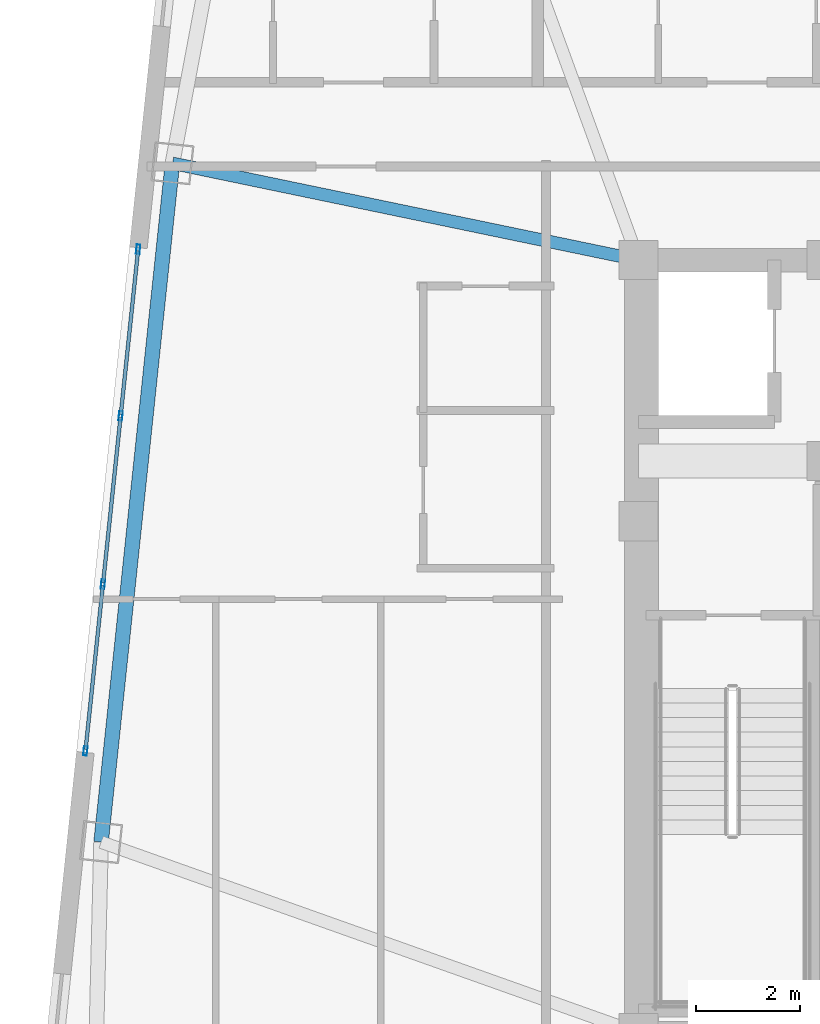
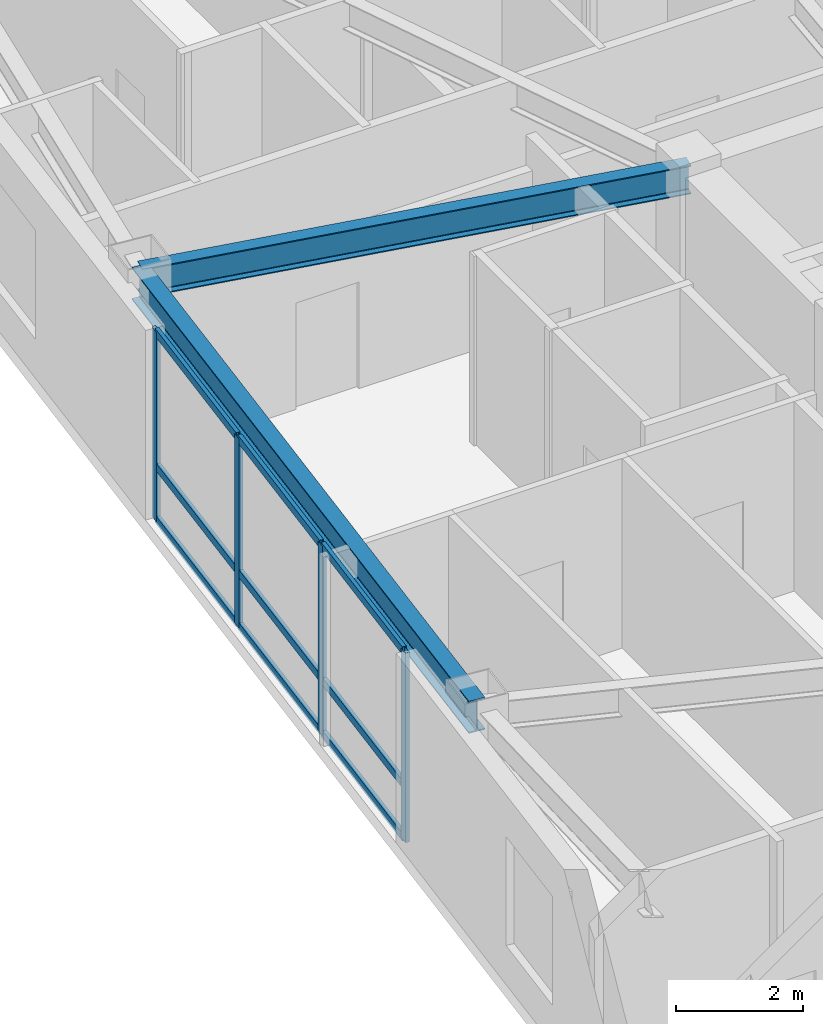
# One storey, part 4 of 23: 13 members, 2 beams, 1 element without a shape of its own.
"""IFC4 building model written with IfcOpenShell, lengths in metres."""

from ifc_helpers import new_model, si_unit, direction, frame, origin, origin_2d, place, context, subcontext, project, spatial, hollow_rectangle, i_section, extrude, material, layer, layer_set, material_profile, profile_set, type_object, element, aggregate, save


model = new_model("IFC4")

# Units and contexts
model_context = context("Model", 3, precision=1e-05, world=origin(), true_north=direction((0.0, 1.0)))
body_context = subcontext(model_context, "Body", "Model", "MODEL_VIEW")
ifc_project = project(units=[si_unit("LENGTHUNIT", "METRE"), si_unit("AREAUNIT", "SQUARE_METRE"), si_unit("VOLUMEUNIT", "CUBIC_METRE"), si_unit("PLANEANGLEUNIT", "RADIAN"), si_unit("MASSUNIT", "GRAM", prefix="KILO")], contexts=[model_context])

# Site, building, storey
site_placement = place(None, origin())
site = spatial("IfcSite", under=ifc_project, at=site_placement, CompositionType="ELEMENT")
building_placement = place(site_placement, origin())
building = spatial("IfcBuilding", under=site, at=building_placement, Name="Voryun Gate Residences", CompositionType="ELEMENT")
storey_placement = place(building_placement, frame((0.0, 0.0, 275.60009765625)))
storey = spatial("IfcBuildingStorey", under=building, at=storey_placement, Name="L68", CompositionType="ELEMENT", Elevation=275.60009765625)

# Beams
ifc_material_1 = material(Name="Steel SM355", Category="steel")
ifc_material_profile_1 = material_profile(ifc_material_1, i_section(OverallWidth=0.280029296875, OverallDepth=0.6201171875, WebThickness=0.013916015625, FlangeThickness=0.02197265625, FilletRadius=0.01806640625, at=origin_2d()), Name="H-620x280x14x22")
ifc_profile_set_1 = profile_set([ifc_material_profile_1], Name="Steel SM355")
beam_type_1 = type_object("IfcBeamType", Name="BM_EXO_SPANDREL_H", PredefinedType="SPANDREL", material=ifc_profile_set_1)
beam_1_placement = place(storey_placement, frame((-28.12255859375, 9.25244140625, 3.33984375), z_axis=(-0.104528209082, -0.994521922084, 0.0), x_axis=(0.994521922084, -0.104528209082, 0.0)))
element("IfcBeam", 1, at=beam_1_placement, inside=storey, type_object=beam_type_1, Name="BM-L68-SPAND-18", PredefinedType="SPANDREL", context=body_context, shape_type="SweptSolid", body=[
    extrude(i_section(OverallWidth=0.280029296875, OverallDepth=0.6201171875, WebThickness=0.013916015625, FlangeThickness=0.02197265625, FilletRadius=0.01806640625, at=origin_2d()), origin(), (0.0, 0.0, 1.0), 13.06787109375),
])
ifc_material_2 = material(Name="Steel SM355", Category="steel")
ifc_material_profile_2 = material_profile(ifc_material_2, i_section(OverallWidth=0.239990234375, OverallDepth=0.550048828125, WebThickness=0.011962890625, FlangeThickness=0.02001953125, FilletRadius=0.01806640625, at=origin_2d()), Name="H-550x240x12x20")
ifc_profile_set_2 = profile_set([ifc_material_profile_2], Name="Steel SM355")
beam_type_2 = type_object("IfcBeamType", Name="BM_GIRD_550", PredefinedType="USERDEFINED", material=ifc_profile_set_2)
beam_2_placement = place(storey_placement, frame((-19.199951171875, 7.39990234375, 3.375), z_axis=(-0.979119049711, 0.203287693907, 0.0), x_axis=(-0.203287693907, -0.979119049711, 0.0)))
element("IfcBeam", 2, at=beam_2_placement, inside=storey, type_object=beam_type_2, Name="BM-L68-RAD-W1", ObjectType="GIRDER", PredefinedType="USERDEFINED", context=body_context, shape_type="SweptSolid", body=[
    extrude(i_section(OverallWidth=0.239990234375, OverallDepth=0.550048828125, WebThickness=0.011962890625, FlangeThickness=0.02001953125, FilletRadius=0.01806640625, at=origin_2d()), origin(), (0.0, 0.0, 1.0), 9.11279296875),
])

# Curtain wall, members
ifc_material_3 = material(Name="Anodised aluminium", Category="aluminium")
ifc_layer = layer(ifc_material_3, 0.18994140625, Name="CW_SYS_RES_B_DARK_GLASS")
ifc_layer_set = layer_set([ifc_layer], Name="Anodised aluminium")
curtain_wall_type = type_object("IfcCurtainWallType", Name="CW_SYS_RES_B_DARK_GLASS", PredefinedType="NOTDEFINED", material=ifc_layer_set)
curtain_wall_placement = place(storey_placement, origin())
curtain_wall = element("IfcCurtainWall", 3, at=curtain_wall_placement, inside=storey, type_object=curtain_wall_type, Name="Curtain wall CWT-L68-06", PredefinedType="NOTDEFINED")
ifc_material_4 = material(Name="Anodised aluminium", Category="aluminium")
ifc_material_profile_3 = material_profile(ifc_material_4, hollow_rectangle(XDim=0.070068359375, YDim=0.179931640625, WallThickness=0.00390625, at=origin_2d()), Name="ALU-MULL-180x70x4")
ifc_profile_set_3 = profile_set([ifc_material_profile_3], Name="Anodised aluminium")
member_type_1 = type_object("IfcMemberType", Name="CW_MULL_RES", PredefinedType="MULLION", material=ifc_profile_set_3)
member_1_placement = place(storey_placement, frame((-29.787841796875, -1.99755859375, 0.0), z_axis=(0.0, 0.0, 1.0), x_axis=(-0.994521117907, 0.10453586005, 0.0)))
member_1 = element("IfcMember", 4, at=member_1_placement, type_object=member_type_1, Name="CW4 mullion 1", PredefinedType="MULLION", context=body_context, shape_type="SweptSolid", body=[
    extrude(hollow_rectangle(XDim=0.070068359375, YDim=0.179931640625, WallThickness=0.00390625, at=origin_2d()), origin(), (0.0, 0.0, 1.0), 3.64990234375),
])
member_2_placement = place(storey_placement, frame((-29.452392578125, 1.19384765625, 0.0), z_axis=(0.0, 0.0, 1.0), x_axis=(-0.994521117907, 0.10453586005, 0.0)))
member_2 = element("IfcMember", 5, at=member_2_placement, type_object=member_type_1, Name="CW4 mullion 2", PredefinedType="MULLION", context=body_context, shape_type="SweptSolid", body=[
    extrude(hollow_rectangle(XDim=0.070068359375, YDim=0.179931640625, WallThickness=0.00390625, at=origin_2d()), origin(), (0.0, 0.0, 1.0), 3.64990234375),
])
member_3_placement = place(storey_placement, frame((-29.11376953125, 4.415283203125, 0.0), z_axis=(0.0, 0.0, 1.0), x_axis=(-0.994521117907, 0.10453586005, 0.0)))
member_3 = element("IfcMember", 6, at=member_3_placement, type_object=member_type_1, Name="CW4 mullion 3", PredefinedType="MULLION", context=body_context, shape_type="SweptSolid", body=[
    extrude(hollow_rectangle(XDim=0.070068359375, YDim=0.179931640625, WallThickness=0.00390625, at=origin_2d()), origin(), (0.0, 0.0, 1.0), 3.64990234375),
])
member_4_placement = place(storey_placement, frame((-28.7783203125, 7.606689453125, 0.0), z_axis=(0.0, 0.0, 1.0), x_axis=(-0.994521117907, 0.10453586005, 0.0)))
member_4 = element("IfcMember", 7, at=member_4_placement, type_object=member_type_1, Name="CW4 mullion 4", PredefinedType="MULLION", context=body_context, shape_type="SweptSolid", body=[
    extrude(hollow_rectangle(XDim=0.070068359375, YDim=0.179931640625, WallThickness=0.00390625, at=origin_2d()), origin(), (0.0, 0.0, 1.0), 3.64990234375),
])
ifc_material_5 = material(Name="Anodised aluminium", Category="aluminium")
ifc_material_profile_4 = material_profile(ifc_material_5, hollow_rectangle(XDim=0.070068359375, YDim=0.14990234375, WallThickness=0.00390625, at=origin_2d()), Name="ALU-TRAN-150x70x4")
ifc_profile_set_4 = profile_set([ifc_material_profile_4], Name="Anodised aluminium")
member_type_2 = type_object("IfcMemberType", Name="CW_TRAN_RES", PredefinedType="USERDEFINED", material=ifc_profile_set_4)
member_5_placement = place(storey_placement, frame((-29.78466796875, -1.9677734375, 0.02978515625), z_axis=(0.104583892707, 0.994516067938, 0.0), x_axis=(-0.994516067938, 0.104583892707, 0.0)))
member_5 = element("IfcMember", 8, at=member_5_placement, type_object=member_type_2, Name="CW4 transom 1.1", ObjectType="TRANSOM", PredefinedType="USERDEFINED", context=body_context, shape_type="SweptSolid", body=[
    extrude(hollow_rectangle(XDim=0.070068359375, YDim=0.14990234375, WallThickness=0.00390625, at=origin_2d()), origin(), (0.0, 0.0, 1.0), 3.149169921875),
])
member_6_placement = place(storey_placement, frame((-29.78466796875, -1.9677734375, 1.0498046875), z_axis=(0.104583892707, 0.994516067938, 0.0), x_axis=(-0.994516067938, 0.104583892707, 0.0)))
member_6 = element("IfcMember", 9, at=member_6_placement, type_object=member_type_2, Name="CW4 transom 1.2", ObjectType="TRANSOM", PredefinedType="USERDEFINED", context=body_context, shape_type="SweptSolid", body=[
    extrude(hollow_rectangle(XDim=0.070068359375, YDim=0.14990234375, WallThickness=0.00390625, at=origin_2d()), origin(), (0.0, 0.0, 1.0), 3.149169921875),
])
member_7_placement = place(storey_placement, frame((-29.78466796875, -1.9677734375, 3.619873046875), z_axis=(0.104583892707, 0.994516067938, 0.0), x_axis=(-0.994516067938, 0.104583892707, 0.0)))
member_7 = element("IfcMember", 10, at=member_7_placement, type_object=member_type_2, Name="CW4 transom 1.3", ObjectType="TRANSOM", PredefinedType="USERDEFINED", context=body_context, shape_type="SweptSolid", body=[
    extrude(hollow_rectangle(XDim=0.070068359375, YDim=0.14990234375, WallThickness=0.00390625, at=origin_2d()), origin(), (0.0, 0.0, 1.0), 3.149169921875),
])
member_8_placement = place(storey_placement, frame((-29.44921875, 1.2236328125, 0.02978515625), z_axis=(0.104520879108, 0.994522692466, 0.0), x_axis=(-0.994522692466, 0.104520879108, 0.0)))
member_8 = element("IfcMember", 11, at=member_8_placement, type_object=member_type_2, Name="CW4 transom 2.1", ObjectType="TRANSOM", PredefinedType="USERDEFINED", context=body_context, shape_type="SweptSolid", body=[
    extrude(hollow_rectangle(XDim=0.070068359375, YDim=0.14990234375, WallThickness=0.00390625, at=origin_2d()), origin(), (0.0, 0.0, 1.0), 3.178955078125),
])
member_9_placement = place(storey_placement, frame((-29.44921875, 1.2236328125, 1.0498046875), z_axis=(0.104520879108, 0.994522692466, 0.0), x_axis=(-0.994522692466, 0.104520879108, 0.0)))
member_9 = element("IfcMember", 12, at=member_9_placement, type_object=member_type_2, Name="CW4 transom 2.2", ObjectType="TRANSOM", PredefinedType="USERDEFINED", context=body_context, shape_type="SweptSolid", body=[
    extrude(hollow_rectangle(XDim=0.070068359375, YDim=0.14990234375, WallThickness=0.00390625, at=origin_2d()), origin(), (0.0, 0.0, 1.0), 3.178955078125),
])
member_10_placement = place(storey_placement, frame((-29.44921875, 1.2236328125, 3.619873046875), z_axis=(0.104520879108, 0.994522692466, 0.0), x_axis=(-0.994522692466, 0.104520879108, 0.0)))
member_10 = element("IfcMember", 13, at=member_10_placement, type_object=member_type_2, Name="CW4 transom 2.3", ObjectType="TRANSOM", PredefinedType="USERDEFINED", context=body_context, shape_type="SweptSolid", body=[
    extrude(hollow_rectangle(XDim=0.070068359375, YDim=0.14990234375, WallThickness=0.00390625, at=origin_2d()), origin(), (0.0, 0.0, 1.0), 3.178955078125),
])
member_11_placement = place(storey_placement, frame((-29.110595703125, 4.445068359375, 0.02978515625), z_axis=(0.104507212771, 0.994524128656, 0.0), x_axis=(-0.994524128656, 0.104507212771, 0.0)))
member_11 = element("IfcMember", 14, at=member_11_placement, type_object=member_type_2, Name="CW4 transom 3.1", ObjectType="TRANSOM", PredefinedType="USERDEFINED", context=body_context, shape_type="SweptSolid", body=[
    extrude(hollow_rectangle(XDim=0.070068359375, YDim=0.14990234375, WallThickness=0.00390625, at=origin_2d()), origin(), (0.0, 0.0, 1.0), 3.149169921875),
])
member_12_placement = place(storey_placement, frame((-29.110595703125, 4.445068359375, 1.0498046875), z_axis=(0.104507212771, 0.994524128656, 0.0), x_axis=(-0.994524128656, 0.104507212771, 0.0)))
member_12 = element("IfcMember", 15, at=member_12_placement, type_object=member_type_2, Name="CW4 transom 3.2", ObjectType="TRANSOM", PredefinedType="USERDEFINED", context=body_context, shape_type="SweptSolid", body=[
    extrude(hollow_rectangle(XDim=0.070068359375, YDim=0.14990234375, WallThickness=0.00390625, at=origin_2d()), origin(), (0.0, 0.0, 1.0), 3.149169921875),
])
member_13_placement = place(storey_placement, frame((-29.110595703125, 4.445068359375, 3.619873046875), z_axis=(0.104507212771, 0.994524128656, 0.0), x_axis=(-0.994524128656, 0.104507212771, 0.0)))
member_13 = element("IfcMember", 16, at=member_13_placement, type_object=member_type_2, Name="CW4 transom 3.3", ObjectType="TRANSOM", PredefinedType="USERDEFINED", context=body_context, shape_type="SweptSolid", body=[
    extrude(hollow_rectangle(XDim=0.070068359375, YDim=0.14990234375, WallThickness=0.00390625, at=origin_2d()), origin(), (0.0, 0.0, 1.0), 3.149169921875),
])
aggregate(curtain_wall, [member_1, member_2, member_3, member_4, member_5, member_6, member_7, member_8, member_9, member_10, member_11, member_12, member_13])

save(model, "model.ifc")
